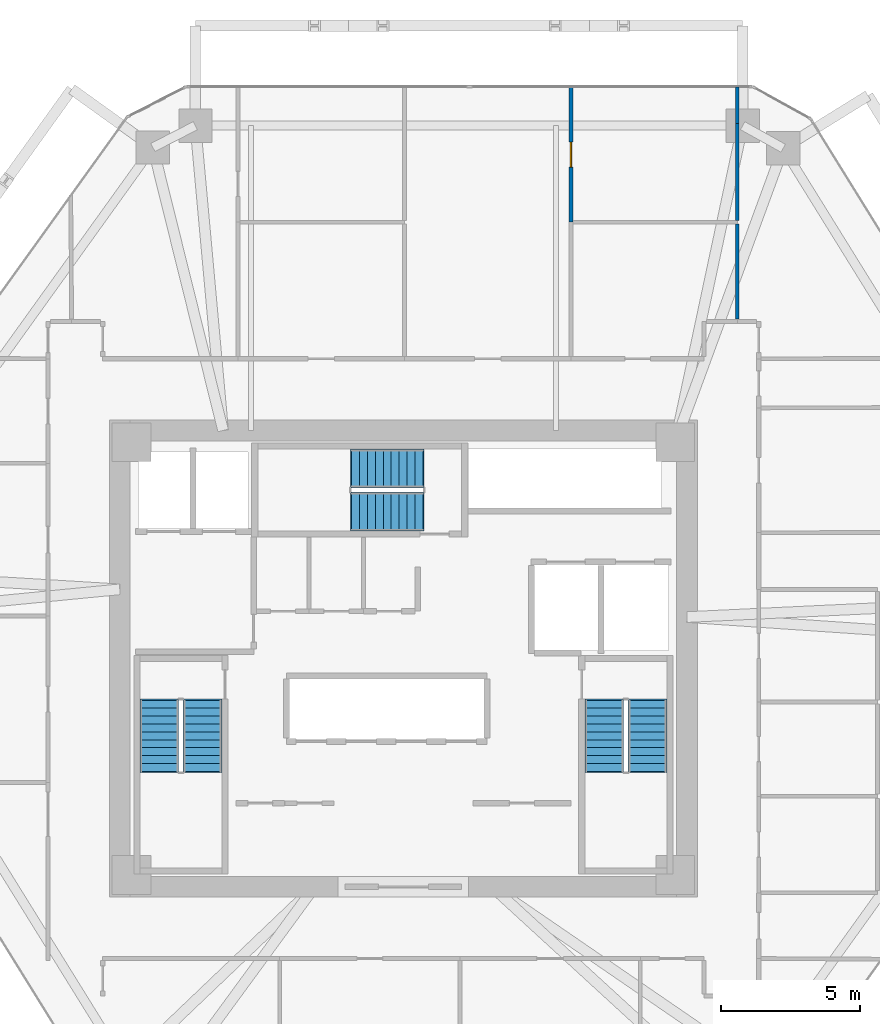
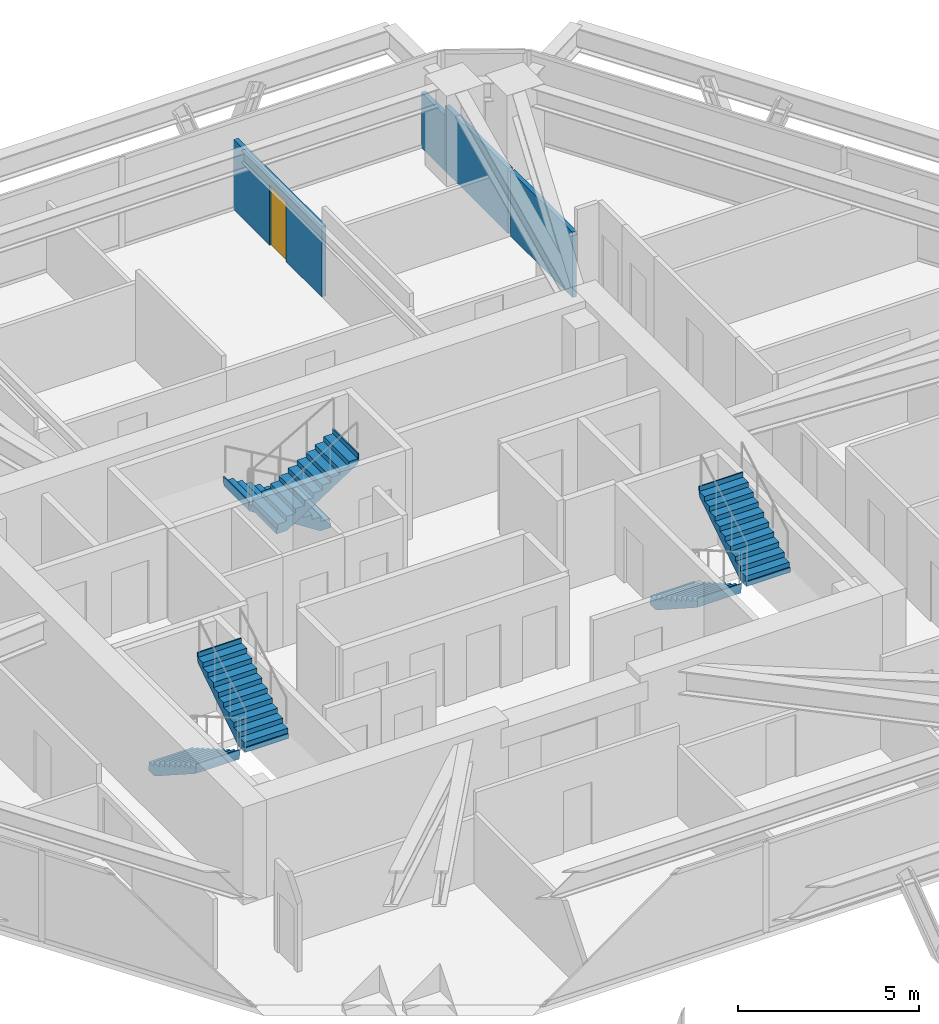
# One storey, part 13 of 14: 6 stair flights, 4 walls, 1 door, 1 opening, 3 elements without a shape of their own.
"""IFC4 building model written with IfcOpenShell, lengths in metres."""

from ifc_helpers import new_model, si_unit, direction, frame, frame_2d, origin, place, context, subcontext, project, spatial, polyline, rectangle, outline, extrude, source, transform, mapped, material, layer, layer_set, type_object, type_shapes, element, fill, aggregate, save


model = new_model("IFC4")

# Units and contexts
model_context = context("Model", 3, precision=1e-05, world=origin(), true_north=direction((0.0, 1.0)))
body_context = subcontext(model_context, "Body", "Model", "MODEL_VIEW")
ifc_project = project(units=[si_unit("LENGTHUNIT", "METRE"), si_unit("AREAUNIT", "SQUARE_METRE"), si_unit("VOLUMEUNIT", "CUBIC_METRE"), si_unit("PLANEANGLEUNIT", "RADIAN"), si_unit("MASSUNIT", "GRAM", prefix="KILO")], contexts=[model_context])

# Site, building, storey
site_placement = place(None, origin())
site = spatial("IfcSite", under=ifc_project, at=site_placement, CompositionType="ELEMENT")
building_placement = place(site_placement, origin())
building = spatial("IfcBuilding", under=site, at=building_placement, Name="Durnholm Broadcast Tower", CompositionType="ELEMENT")
storey_placement = place(building_placement, frame((0.0, 0.0, 120.60009765625)))
storey = spatial("IfcBuildingStorey", under=building, at=storey_placement, Name="L32", CompositionType="ELEMENT", Elevation=120.60009765625)

# Wall, opening, door
ifc_material_1 = material(Name="Gypsum Metal Stud Partition", Category="concrete")
ifc_layer_1 = layer(ifc_material_1, 0.135009765625)
ifc_layer_set_1 = layer_set([ifc_layer_1], Name="Gypsum Metal Stud Partition")
wall_type = type_object("IfcWallType", Name="WALL-PART-135", PredefinedType="PARTITIONING", material=ifc_layer_set_1)
wall_1_placement = place(storey_placement, frame((6.0400390625, 20.614990234375, 0.0), z_axis=(0.0, 0.0, 1.0), x_axis=(0.0, -1.0, 0.0)))
wall_1 = element("IfcWall", 1, at=wall_1_placement, inside=storey, type_object=wall_type, Name="L32 room dividing partition 14.16", PredefinedType="PARTITIONING", context=body_context, shape_type="SweptSolid", body=[
    extrude(rectangle(XDim=4.882080078125, YDim=0.135009765625, at=frame_2d((2.44091796875, 0.0))), origin(), (0.0, 0.0, 1.0), 2.3798828125),
])
opening_placement = place(wall_1_placement, frame((1.990966796875, 0.0, 0.0)))
opening = element("IfcOpeningElement", 2, at=opening_placement, cuts=wall_1, Name="Opening DW-90L", PredefinedType="OPENING", context=body_context, shape_type="SweptSolid", body=[
    extrude(rectangle(XDim=0.89990234375, YDim=2.050048828125, at=frame_2d((0.449951171875, 1.02490234375))), frame((0.0, 0.07763671875, 0.0), z_axis=(0.0, -1.0, 0.0), x_axis=(1.0, 0.0, 0.0)), (0.0, 0.0, 1.0), 0.155029296875),
])
ifc_material_2 = material(Name="Laminate Restroom Door", Category="steel")
ifc_layer_2 = layer(ifc_material_2, 0.050048828125)
ifc_layer_set_2 = layer_set([ifc_layer_2], Name="Laminate Restroom Door")
door_type = type_object("IfcDoorType", Name="DOOR-WC-900L", OperationType="NOTDEFINED", PredefinedType="DOOR", material=ifc_layer_set_2)
shared_shape = source(origin(), body_context, "Body", "SweptSolid", [
    extrude(rectangle(XDim=0.89990234375, YDim=2.050048828125, at=frame_2d((0.449951171875, 1.02490234375))), frame((0.0, 0.02490234375, 0.0), z_axis=(0.0, -1.0, 0.0), x_axis=(1.0, 0.0, 0.0)), (0.0, 0.0, 1.0), 0.050048828125),
])
type_shapes(door_type, [shared_shape])
door_placement = place(opening_placement, origin())
door = element("IfcDoor", 3, at=door_placement, inside=storey, type_object=door_type, Name="L32 Account Lounge connecting door", OperationType="SINGLE_SWING_LEFT", OverallHeight=2.050048828125, OverallWidth=0.89990234375, PredefinedType="DOOR", context=body_context, shape_type="MappedRepresentation", body=[
    mapped(shared_shape, transform((0.0, 0.0, 0.0), x_axis=(1.0, 0.0, 0.0), y_axis=(0.0, 1.0, 0.0), z_axis=(0.0, 0.0, 1.0), scale=1.0)),
])
fill(opening, door)

# Walls
wall_2_placement = place(storey_placement, frame((12.0400390625, 15.66162109375, 0.0), z_axis=(0.0, 0.0, 1.0), x_axis=(0.0, -1.0, 0.0)))
element("IfcWall", 4, at=wall_2_placement, inside=storey, type_object=wall_type, Name="L32 room dividing partition 15.17", PredefinedType="PARTITIONING", context=body_context, shape_type="SweptSolid", body=[
    extrude(rectangle(XDim=3.422607421875, YDim=0.135009765625, at=frame_2d((1.71142578125, 0.0))), origin(), (0.0, 0.0, 1.0), 2.2119140625),
])
wall_3_placement = place(storey_placement, frame((12.0400390625, 19.299072265625, 0.0), z_axis=(0.0, 0.0, 1.0), x_axis=(0.0, -1.0, 0.0)))
element("IfcWall", 5, at=wall_3_placement, inside=storey, type_object=wall_type, Name="L32 room dividing partition 16.17", PredefinedType="PARTITIONING", context=body_context, shape_type="SweptSolid", body=[
    extrude(rectangle(XDim=3.49462890625, YDim=0.135009765625, at=frame_2d((1.747314453125, 0.0))), origin(), (0.0, 0.0, 1.0), 2.2119140625),
])
wall_4_placement = place(storey_placement, frame((12.0400390625, 20.614990234375, 0.0), z_axis=(0.0, 0.0, 1.0), x_axis=(0.0, -1.0, 0.0)))
element("IfcWall", 6, at=wall_4_placement, inside=storey, type_object=wall_type, Name="L32 room dividing partition 16.17", PredefinedType="PARTITIONING", context=body_context, shape_type="SweptSolid", body=[
    extrude(rectangle(XDim=1.31591796875, YDim=0.135009765625, at=frame_2d((0.657958984375, 0.0))), origin(), (0.0, 0.0, 1.0), 1.877197265625),
])

# Stair, stair flights
ifc_material_3 = material(Name="Concrete C50/60", Category="concrete")
stair_type = type_object("IfcStairType", Name="STAIR-DL-20R1650", PredefinedType="HALF_TURN_STAIR", material=ifc_material_3)
stair_1_placement = place(storey_placement, origin())
stair_1 = element("IfcStair", 7, at=stair_1_placement, inside=storey, type_object=stair_type, Name="L32 ST-1", PredefinedType="HALF_TURN_STAIR")
stair_flight_type = type_object("IfcStairFlightType", Name="FLIGHT-DL-20R1650", PredefinedType="STRAIGHT", material=ifc_material_3)
stair_flight_1_placement = place(storey_placement, frame((-8.800048828125, -1.5, 0.0), z_axis=(0.0, 0.0, 1.0), x_axis=(0.0, -1.0, 0.0)))
stair_flight_1 = element("IfcStairFlight", 8, at=stair_flight_1_placement, type_object=stair_flight_type, Name="ST-1 flight 1", NumberOfRisers=10, NumberOfTreads=9, PredefinedType="STRAIGHT", RiserHeight=0.165, TreadLength=0.285, context=body_context, shape_type="SweptSolid", body=[
    extrude(outline(polyline([(-0.0400390625, -0.14990234375), (-0.0400390625, 0.0), (0.0, 0.0), (0.0, 0.1650390625), (0.284912109375, 0.1650390625), (0.284912109375, 0.330078125), (0.570068359375, 0.330078125), (0.570068359375, 0.4951171875), (0.85498046875, 0.4951171875), (0.85498046875, 0.659912109375), (1.139892578125, 0.659912109375), (1.139892578125, 0.824951171875), (1.425048828125, 0.824951171875), (1.425048828125, 0.989990234375), (1.7099609375, 0.989990234375), (1.7099609375, 1.155029296875), (1.9951171875, 1.155029296875), (1.9951171875, 1.320068359375), (2.280029296875, 1.320068359375), (2.280029296875, 1.485107421875), (2.56494140625, 1.485107421875), (2.56494140625, 1.64990234375), (2.60498046875, 1.64990234375), (2.60498046875, 1.5), (2.56494140625, 1.311767578125), (0.299072265625, -0.14990234375), (-0.0400390625, -0.14990234375)])), frame((0.0, 0.699951171875, 0.0), z_axis=(0.0, -1.0, 0.0), x_axis=(1.0, 0.0, 0.0)), (0.0, 0.0, 1.0), 1.39990234375),
])
stair_flight_2_placement = place(storey_placement, frame((-7.239990234375, -4.06494140625, 1.64990234375), z_axis=(0.0, 0.0, 1.0), x_axis=(0.0, 1.0, 0.0)))
stair_flight_2 = element("IfcStairFlight", 9, at=stair_flight_2_placement, type_object=stair_flight_type, Name="ST-1 flight 2", NumberOfRisers=10, NumberOfTreads=9, PredefinedType="STRAIGHT", RiserHeight=0.165, TreadLength=0.285, context=body_context, shape_type="SweptSolid", body=[
    extrude(outline(polyline([(-0.0400390625, -0.14990234375), (-0.0400390625, 0.0), (0.0, 0.0), (0.0, 0.1650390625), (0.284912109375, 0.1650390625), (0.284912109375, 0.330078125), (0.570068359375, 0.330078125), (0.570068359375, 0.4951171875), (0.85498046875, 0.4951171875), (0.85498046875, 0.659912109375), (1.139892578125, 0.659912109375), (1.139892578125, 0.824951171875), (1.425048828125, 0.824951171875), (1.425048828125, 0.989990234375), (1.7099609375, 0.989990234375), (1.7099609375, 1.155029296875), (1.9951171875, 1.155029296875), (1.9951171875, 1.320068359375), (2.280029296875, 1.320068359375), (2.280029296875, 1.485107421875), (2.56494140625, 1.485107421875), (2.56494140625, 1.64990234375), (2.60498046875, 1.64990234375), (2.60498046875, 1.5), (2.56494140625, 1.311767578125), (0.299072265625, -0.14990234375), (-0.0400390625, -0.14990234375)])), frame((0.0, 0.699951171875, 0.0), z_axis=(0.0, -1.0, 0.0), x_axis=(1.0, 0.0, 0.0)), (0.0, 0.0, 1.0), 1.39990234375),
])
aggregate(stair_1, [stair_flight_1, stair_flight_2])

stair_2_placement = place(storey_placement, origin())
stair_2 = element("IfcStair", 10, at=stair_2_placement, inside=storey, type_object=stair_type, Name="L32 ST-2", PredefinedType="HALF_TURN_STAIR")
stair_flight_3_placement = place(storey_placement, frame((7.239990234375, -1.5, 0.0), z_axis=(0.0, 0.0, 1.0), x_axis=(0.0, -1.0, 0.0)))
stair_flight_3 = element("IfcStairFlight", 11, at=stair_flight_3_placement, type_object=stair_flight_type, Name="ST-2 flight 1", NumberOfRisers=10, NumberOfTreads=9, PredefinedType="STRAIGHT", RiserHeight=0.165, TreadLength=0.285, context=body_context, shape_type="SweptSolid", body=[
    extrude(outline(polyline([(-0.0400390625, -0.14990234375), (-0.0400390625, 0.0), (0.0, 0.0), (0.0, 0.1650390625), (0.284912109375, 0.1650390625), (0.284912109375, 0.330078125), (0.570068359375, 0.330078125), (0.570068359375, 0.4951171875), (0.85498046875, 0.4951171875), (0.85498046875, 0.659912109375), (1.139892578125, 0.659912109375), (1.139892578125, 0.824951171875), (1.425048828125, 0.824951171875), (1.425048828125, 0.989990234375), (1.7099609375, 0.989990234375), (1.7099609375, 1.155029296875), (1.9951171875, 1.155029296875), (1.9951171875, 1.320068359375), (2.280029296875, 1.320068359375), (2.280029296875, 1.485107421875), (2.56494140625, 1.485107421875), (2.56494140625, 1.64990234375), (2.60498046875, 1.64990234375), (2.60498046875, 1.5), (2.56494140625, 1.311767578125), (0.299072265625, -0.14990234375), (-0.0400390625, -0.14990234375)])), frame((0.0, 0.699951171875, 0.0), z_axis=(0.0, -1.0, 0.0), x_axis=(1.0, 0.0, 0.0)), (0.0, 0.0, 1.0), 1.39990234375),
])
stair_flight_4_placement = place(storey_placement, frame((8.800048828125, -4.06494140625, 1.64990234375), z_axis=(0.0, 0.0, 1.0), x_axis=(0.0, 1.0, 0.0)))
stair_flight_4 = element("IfcStairFlight", 12, at=stair_flight_4_placement, type_object=stair_flight_type, Name="ST-2 flight 2", NumberOfRisers=10, NumberOfTreads=9, PredefinedType="STRAIGHT", RiserHeight=0.165, TreadLength=0.285, context=body_context, shape_type="SweptSolid", body=[
    extrude(outline(polyline([(-0.0400390625, -0.14990234375), (-0.0400390625, 0.0), (0.0, 0.0), (0.0, 0.1650390625), (0.284912109375, 0.1650390625), (0.284912109375, 0.330078125), (0.570068359375, 0.330078125), (0.570068359375, 0.4951171875), (0.85498046875, 0.4951171875), (0.85498046875, 0.659912109375), (1.139892578125, 0.659912109375), (1.139892578125, 0.824951171875), (1.425048828125, 0.824951171875), (1.425048828125, 0.989990234375), (1.7099609375, 0.989990234375), (1.7099609375, 1.155029296875), (1.9951171875, 1.155029296875), (1.9951171875, 1.320068359375), (2.280029296875, 1.320068359375), (2.280029296875, 1.485107421875), (2.56494140625, 1.485107421875), (2.56494140625, 1.64990234375), (2.60498046875, 1.64990234375), (2.60498046875, 1.5), (2.56494140625, 1.311767578125), (0.299072265625, -0.14990234375), (-0.0400390625, -0.14990234375)])), frame((0.0, 0.699951171875, 0.0), z_axis=(0.0, -1.0, 0.0), x_axis=(1.0, 0.0, 0.0)), (0.0, 0.0, 1.0), 1.39990234375),
])
aggregate(stair_2, [stair_flight_3, stair_flight_4])

stair_3_placement = place(storey_placement, origin())
stair_3 = element("IfcStair", 13, at=stair_3_placement, inside=storey, type_object=stair_type, Name="L32 ST-3", PredefinedType="HALF_TURN_STAIR")
stair_flight_5_placement = place(storey_placement, frame((0.699951171875, 6.860107421875, 0.0), z_axis=(0.0, 0.0, 1.0), x_axis=(-1.0, 0.0, 0.0)))
stair_flight_5 = element("IfcStairFlight", 14, at=stair_flight_5_placement, type_object=stair_flight_type, Name="ST-3 flight 1", NumberOfRisers=10, NumberOfTreads=9, PredefinedType="STRAIGHT", RiserHeight=0.165, TreadLength=0.285, context=body_context, shape_type="SweptSolid", body=[
    extrude(outline(polyline([(-0.0400390625, -0.14990234375), (-0.0400390625, 0.0), (0.0, 0.0), (0.0, 0.1650390625), (0.284912109375, 0.1650390625), (0.284912109375, 0.330078125), (0.570068359375, 0.330078125), (0.570068359375, 0.4951171875), (0.85498046875, 0.4951171875), (0.85498046875, 0.659912109375), (1.139892578125, 0.659912109375), (1.139892578125, 0.824951171875), (1.425048828125, 0.824951171875), (1.425048828125, 0.989990234375), (1.7099609375, 0.989990234375), (1.7099609375, 1.155029296875), (1.9951171875, 1.155029296875), (1.9951171875, 1.320068359375), (2.280029296875, 1.320068359375), (2.280029296875, 1.485107421875), (2.56494140625, 1.485107421875), (2.56494140625, 1.64990234375), (2.60498046875, 1.64990234375), (2.60498046875, 1.5), (2.56494140625, 1.311767578125), (0.299072265625, -0.14990234375), (-0.0400390625, -0.14990234375)])), frame((0.0, 0.699951171875, 0.0), z_axis=(0.0, -1.0, 0.0), x_axis=(1.0, 0.0, 0.0)), (0.0, 0.0, 1.0), 1.39990234375),
])
stair_flight_6_placement = place(storey_placement, frame((-1.864990234375, 5.300048828125, 1.64990234375), z_axis=(0.0, 0.0, 1.0), x_axis=(1.0, 0.0, 0.0)))
stair_flight_6 = element("IfcStairFlight", 15, at=stair_flight_6_placement, type_object=stair_flight_type, Name="ST-3 flight 2", NumberOfRisers=10, NumberOfTreads=9, PredefinedType="STRAIGHT", RiserHeight=0.165, TreadLength=0.285, context=body_context, shape_type="SweptSolid", body=[
    extrude(outline(polyline([(-0.0400390625, -0.14990234375), (-0.0400390625, 0.0), (0.0, 0.0), (0.0, 0.1650390625), (0.284912109375, 0.1650390625), (0.284912109375, 0.330078125), (0.570068359375, 0.330078125), (0.570068359375, 0.4951171875), (0.85498046875, 0.4951171875), (0.85498046875, 0.659912109375), (1.139892578125, 0.659912109375), (1.139892578125, 0.824951171875), (1.425048828125, 0.824951171875), (1.425048828125, 0.989990234375), (1.7099609375, 0.989990234375), (1.7099609375, 1.155029296875), (1.9951171875, 1.155029296875), (1.9951171875, 1.320068359375), (2.280029296875, 1.320068359375), (2.280029296875, 1.485107421875), (2.56494140625, 1.485107421875), (2.56494140625, 1.64990234375), (2.60498046875, 1.64990234375), (2.60498046875, 1.5), (2.56494140625, 1.311767578125), (0.299072265625, -0.14990234375), (-0.0400390625, -0.14990234375)])), frame((0.0, 0.699951171875, 0.0), z_axis=(0.0, -1.0, 0.0), x_axis=(1.0, 0.0, 0.0)), (0.0, 0.0, 1.0), 1.39990234375),
])
aggregate(stair_3, [stair_flight_5, stair_flight_6])

save(model, "model.ifc")
